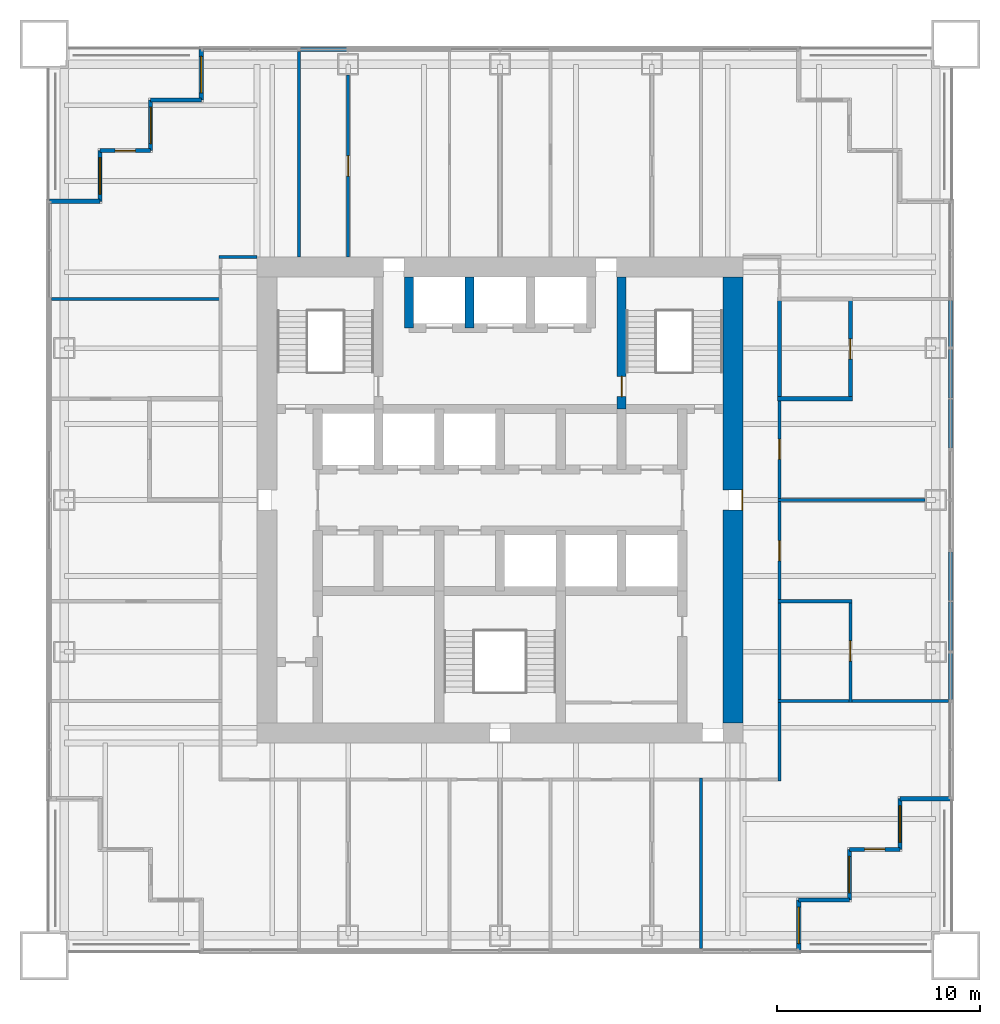
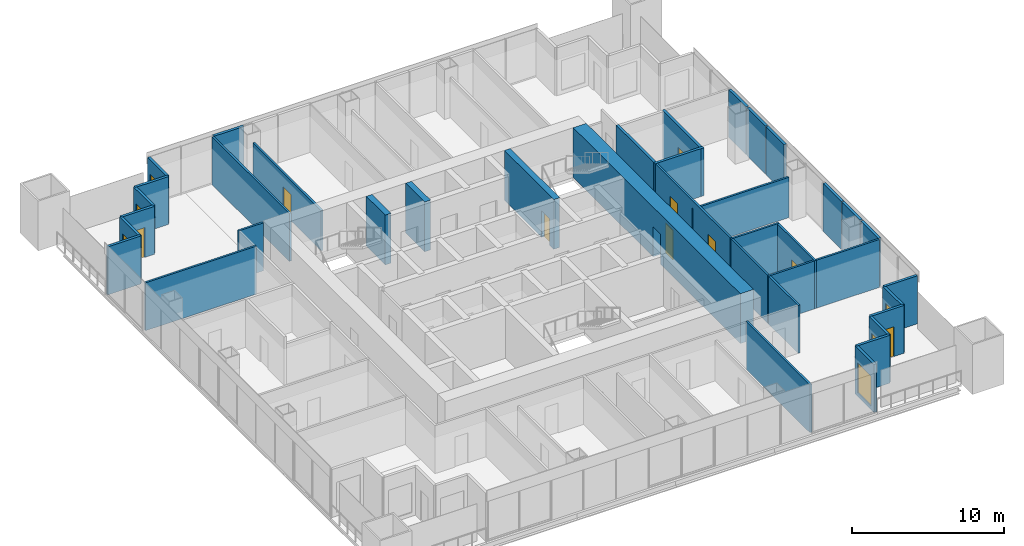
# One storey, part 10 of 13: 36 walls, 9 doors, 6 windows, 15 openings.
"""IFC4 building model written with IfcOpenShell, lengths in metres."""

from ifc_helpers import new_model, si_unit, direction, frame, frame_2d, origin, place, context, subcontext, project, spatial, rectangle, extrude, material, layer, layer_set, type_object, element, fill, save


model = new_model("IFC4")

# Units and contexts
model_context = context("Model", 3, precision=1e-05, world=origin(), true_north=direction((0.0, 1.0)))
body_context = subcontext(model_context, "Body", "Model", "MODEL_VIEW")
ifc_project = project(units=[si_unit("LENGTHUNIT", "METRE"), si_unit("AREAUNIT", "SQUARE_METRE"), si_unit("VOLUMEUNIT", "CUBIC_METRE"), si_unit("PLANEANGLEUNIT", "RADIAN"), si_unit("MASSUNIT", "GRAM", prefix="KILO")], contexts=[model_context])

# Site, building, storey
site_placement = place(None, origin())
site = spatial("IfcSite", under=ifc_project, at=site_placement, CompositionType="ELEMENT")
building_placement = place(site_placement, origin())
building = spatial("IfcBuilding", under=site, at=building_placement, Name="Tarangal Relay Tower", CompositionType="ELEMENT")
storey_placement = place(building_placement, frame((0.0, 0.0, 189.89990234375)))
storey = spatial("IfcBuildingStorey", under=building, at=storey_placement, Name="L39", CompositionType="ELEMENT", Elevation=189.89990234375)

# Walls
ifc_material_1 = material(Name="Two layers gypsum board each side on twin steel studs, mineral wool", Category="steel")
ifc_layer_1 = layer(ifc_material_1, 0.199951171875)
ifc_layer_set_1 = layer_set([ifc_layer_1], Name="Acoustic partition 200")
wall_type_1 = type_object("IfcWallType", Name="Acoustic partition 200", PredefinedType="PARTITIONING", material=ifc_layer_set_1)
wall_1_placement = place(storey_placement, frame((13.699951171875, 5.0, 0.0), z_axis=(0.0, 0.0, 1.0), x_axis=(1.0, 0.0, 0.0)))
element("IfcWall", 1, at=wall_1_placement, inside=storey, type_object=wall_type_1, Name="Partition PT2 L39", PredefinedType="PARTITIONING", context=body_context, shape_type="SweptSolid", body=[
    extrude(rectangle(XDim=3.699951171875, YDim=0.199951171875, at=frame_2d((1.85009765625, 0.0))), origin(), (0.0, 0.0, 1.0), 3.85009765625),
])
wall_2_placement = place(storey_placement, frame((13.800048828125, 4.89990234375, 0.0), z_axis=(0.0, 0.0, 1.0), x_axis=(0.0, 1.0, 0.0)))
element("IfcWall", 2, at=wall_2_placement, inside=storey, type_object=wall_type_1, Name="Partition PT2 L39", PredefinedType="PARTITIONING", context=body_context, shape_type="SweptSolid", body=[
    extrude(rectangle(XDim=5.1171875, YDim=0.199951171875, at=frame_2d((2.55859375, 0.0))), origin(), (0.0, 0.0, 1.0), 3.85009765625),
])

# Wall, opening, door
wall_3_placement = place(storey_placement, frame((17.300048828125, 4.89990234375, 0.0), z_axis=(0.0, 0.0, 1.0), x_axis=(0.0, 1.0, 0.0)))
wall_3 = element("IfcWall", 3, at=wall_3_placement, inside=storey, type_object=wall_type_1, Name="Partition PT2 L39", PredefinedType="PARTITIONING", context=body_context, shape_type="SweptSolid", body=[
    extrude(rectangle(XDim=5.1171875, YDim=0.199951171875, at=frame_2d((2.55859375, 0.0))), origin(), (0.0, 0.0, 1.0), 3.85009765625),
])
opening_1_placement = place(wall_3_placement, frame((2.05859375, 0.0, 0.0)))
opening_1 = element("IfcOpeningElement", 4, at=opening_1_placement, cuts=wall_3, Name="Opening D2", PredefinedType="OPENING", context=body_context, shape_type="SweptSolid", body=[
    extrude(rectangle(XDim=1.0, YDim=2.10009765625, at=frame_2d((0.5, 1.050048828125))), frame((0.0, 0.10986328125, 0.0), z_axis=(0.0, -1.0, 0.0), x_axis=(1.0, 0.0, 0.0)), (0.0, 0.0, 1.0), 0.219970703125),
])
ifc_material_2 = material(Name="Hardwood door", Category="wood")
door_type_1 = type_object("IfcDoorType", Name="Door 1000 x 2100", OperationType="SINGLE_SWING_LEFT", PredefinedType="DOOR", material=ifc_material_2)
door_1_placement = place(opening_1_placement, origin())
door_1 = element("IfcDoor", 5, at=door_1_placement, inside=storey, type_object=door_type_1, Name="Door D2 to meeting room L39-08", OperationType="SINGLE_SWING_LEFT", OverallHeight=2.10009765625, OverallWidth=1.0, PredefinedType="DOOR", context=body_context, shape_type="SweptSolid", body=[
    extrude(rectangle(XDim=1.0, YDim=2.10009765625, at=frame_2d((0.5, 1.050048828125))), frame((0.0, 0.02490234375, 0.0), z_axis=(0.0, -1.0, 0.0), x_axis=(1.0, 0.0, 0.0)), (0.0, 0.0, 1.0), 0.050048828125),
])
fill(opening_1, door_1)

ifc_material_3 = material(Name="Concrete fc' 60 MPa", Category="concrete")
ifc_layer_2 = layer(ifc_material_3, 0.449951171875)
ifc_layer_set_2 = layer_set([ifc_layer_2], Name="Core inner wall 450")
wall_type_2 = type_object("IfcWallType", Name="Core inner wall 450", PredefinedType="SHEAR", material=ifc_layer_set_2)
wall_4_placement = place(storey_placement, frame((6.0, 4.5, 0.0), z_axis=(0.0, 0.0, 1.0), x_axis=(0.0, 1.0, 0.0)))
wall_4 = element("IfcWall", 6, at=wall_4_placement, inside=storey, type_object=wall_type_2, Name="Core wall X6 L39", PredefinedType="SHEAR", context=body_context, shape_type="SweptSolid", body=[
    extrude(rectangle(XDim=6.5, YDim=0.449951171875, at=frame_2d((3.25, 0.0))), origin(), (0.0, 0.0, 1.0), 4.0),
])
opening_2_placement = place(wall_4_placement, frame((0.60009765625, 0.0, 0.0)))
opening_2 = element("IfcOpeningElement", 7, at=opening_2_placement, cuts=wall_4, Name="Opening FD1", PredefinedType="OPENING", context=body_context, shape_type="SweptSolid", body=[
    extrude(rectangle(XDim=1.0, YDim=2.10009765625, at=frame_2d((0.5, 1.050048828125))), frame((0.0, 0.23486328125, 0.0), z_axis=(0.0, -1.0, 0.0), x_axis=(1.0, 0.0, 0.0)), (0.0, 0.0, 1.0), 0.469970703125),
])
ifc_material_4 = material(Name="Steel door with hardwood frame", Category="steel")
door_type_2 = type_object("IfcDoorType", Name="Fire door 1000 x 2100", OperationType="SINGLE_SWING_LEFT", PredefinedType="DOOR", material=ifc_material_4)
door_2_placement = place(opening_2_placement, origin())
door_2 = element("IfcDoor", 8, at=door_2_placement, inside=storey, type_object=door_type_2, Name="Stair ST-B door from fire-fighting lobby L39", OperationType="SINGLE_SWING_LEFT", OverallHeight=2.10009765625, OverallWidth=1.0, PredefinedType="DOOR", context=body_context, shape_type="SweptSolid", body=[
    extrude(rectangle(XDim=1.0, YDim=2.10009765625, at=frame_2d((0.5, 1.050048828125))), frame((0.0, 0.02490234375, 0.0), z_axis=(0.0, -1.0, 0.0), x_axis=(1.0, 0.0, 0.0)), (0.0, 0.0, 1.0), 0.050048828125),
])
fill(opening_2, door_2)

# Walls
for number, where, z_axis, x_axis, name in (
    (9, (-4.5, 8.5, 0.0), (0.0, 0.0, 1.0), (0.0, 1.0, 0.0), "Core wall XM45 L39"),
    (10, (-1.5, 8.5, 0.0), (0.0, 0.0, 1.0), (0.0, 1.0, 0.0), "Core wall XM15 L39"),
):
    element("IfcWall", number, at=place(storey_placement, frame(where, z_axis=z_axis, x_axis=x_axis)), inside=storey, type_object=wall_type_2, Name=name, PredefinedType="SHEAR", context=body_context, shape_type="SweptSolid", body=[
        extrude(rectangle(XDim=2.5, YDim=0.449951171875, at=frame_2d((1.25, 0.0))), origin(), (0.0, 0.0, 1.0), 4.0),
    ])

# Wall, opening, door
ifc_layer_3 = layer(ifc_material_3, 1.0)
ifc_layer_set_3 = layer_set([ifc_layer_3], Name="Core wall 1000")
wall_type_3 = type_object("IfcWallType", Name="Core wall 1000", PredefinedType="SHEAR", material=ifc_layer_set_3)
wall_5_placement = place(storey_placement, frame((11.5, 11.0, 0.0), z_axis=(0.0, 0.0, 1.0), x_axis=(0.0, -1.0, 0.0)))
wall_5 = element("IfcWall", 11, at=wall_5_placement, inside=storey, type_object=wall_type_3, Name="Core wall E L39", PredefinedType="SHEAR", context=body_context, shape_type="SweptSolid", body=[
    extrude(rectangle(XDim=22.0, YDim=1.0, at=frame_2d((11.0, 0.0))), origin(), (0.0, 0.0, 1.0), 4.0),
])
opening_3_placement = place(wall_5_placement, frame((10.5, 0.0, 0.0)))
opening_3 = element("IfcOpeningElement", 12, at=opening_3_placement, cuts=wall_5, Name="Opening FD3", PredefinedType="OPENING", context=body_context, shape_type="SweptSolid", body=[
    extrude(rectangle(XDim=1.0, YDim=2.39990234375, at=frame_2d((0.5, 1.199951171875))), frame((0.0, 0.510009765625, 0.0), z_axis=(0.0, -1.0, 0.0), x_axis=(1.0, 0.0, 0.0)), (0.0, 0.0, 1.0), 1.02001953125),
])
door_type_3 = type_object("IfcDoorType", Name="Fire door 1000 x 2400 core entry", OperationType="SINGLE_SWING_RIGHT", PredefinedType="DOOR", material=ifc_material_4)
door_3_placement = place(opening_3_placement, origin())
door_3 = element("IfcDoor", 13, at=door_3_placement, inside=storey, type_object=door_type_3, Name="Core entry door east L39", OperationType="SINGLE_SWING_RIGHT", OverallHeight=2.39990234375, OverallWidth=1.0, PredefinedType="DOOR", context=body_context, shape_type="SweptSolid", body=[
    extrude(rectangle(XDim=1.0, YDim=2.39990234375, at=frame_2d((0.5, 1.199951171875))), frame((0.0, 0.48486328125, 0.0), z_axis=(0.0, -1.0, 0.0), x_axis=(1.0, 0.0, 0.0)), (0.0, 0.0, 1.0), 0.050048828125),
])
fill(opening_3, door_3)

# Wall
ifc_material_5 = material(Name="Black metal clad insulated wall", Category="steel")
ifc_layer_4 = layer(ifc_material_5, 0.199951171875)
ifc_layer_set_4 = layer_set([ifc_layer_4], Name="Corner wall metal clad 200")
wall_type_4 = type_object("IfcWallType", Name="Corner wall metal clad 200", PredefinedType="SOLIDWALL", material=ifc_layer_set_4)
wall_6_placement = place(storey_placement, frame((22.25, -14.75, 0.0), z_axis=(0.0, 0.0, 1.0), x_axis=(-1.0, 0.0, 0.0)))
element("IfcWall", 14, at=wall_6_placement, inside=storey, type_object=wall_type_4, Name="Facade wall E facade L39", PredefinedType="SOLIDWALL", context=body_context, shape_type="SweptSolid", body=[
    extrude(rectangle(XDim=2.5, YDim=0.199951171875, at=frame_2d((1.25, 0.0))), origin(), (0.0, 0.0, 1.0), 3.85009765625),
])

# Wall, opening, window
wall_7_placement = place(storey_placement, frame((19.75, -14.75, 0.0), z_axis=(0.0, 0.0, 1.0), x_axis=(0.0, -1.0, 0.0)))
wall_7 = element("IfcWall", 15, at=wall_7_placement, inside=storey, type_object=wall_type_4, Name="Facade wall E facade L39", PredefinedType="SOLIDWALL", context=body_context, shape_type="SweptSolid", body=[
    extrude(rectangle(XDim=2.5, YDim=0.199951171875, at=frame_2d((1.25, 0.0))), origin(), (0.0, 0.0, 1.0), 3.85009765625),
])
opening_4_placement = place(wall_7_placement, frame((0.35009765625, 0.0, 0.300048828125)))
opening_4 = element("IfcOpeningElement", 16, at=opening_4_placement, cuts=wall_7, Name="Opening WN2", PredefinedType="OPENING", context=body_context, shape_type="SweptSolid", body=[
    extrude(rectangle(XDim=1.800048828125, YDim=2.39990234375, at=frame_2d((0.89990234375, 1.199951171875))), frame((0.0, 0.10986328125, 0.0), z_axis=(0.0, -1.0, 0.0), x_axis=(1.0, 0.0, 0.0)), (0.0, 0.0, 1.0), 0.219970703125),
])
ifc_material_6 = material(Name="Dark tinted double glazing in black aluminium frame", Category="aluminium")
window_type = type_object("IfcWindowType", Name="Corner window 1800 x 2400", PartitioningType="SINGLE_PANEL", PredefinedType="WINDOW", material=ifc_material_6)
window_1_placement = place(opening_4_placement, origin())
window_1 = element("IfcWindow", 17, at=window_1_placement, inside=storey, type_object=window_type, Name="Corner window WN2 E facade L39", OverallHeight=2.39990234375, OverallWidth=1.800048828125, PartitioningType="SINGLE_PANEL", PredefinedType="WINDOW", context=body_context, shape_type="SweptSolid", body=[
    extrude(rectangle(XDim=1.800048828125, YDim=2.39990234375, at=frame_2d((0.89990234375, 1.199951171875))), frame((0.0, 0.030029296875, 0.0), z_axis=(0.0, -1.0, 0.0), x_axis=(1.0, 0.0, 0.0)), (0.0, 0.0, 1.0), 0.06005859375),
])
fill(opening_4, window_1)

# Wall, opening, door
wall_8_placement = place(storey_placement, frame((19.75, -17.25, 0.0), z_axis=(0.0, 0.0, 1.0), x_axis=(-1.0, 0.0, 0.0)))
wall_8 = element("IfcWall", 18, at=wall_8_placement, inside=storey, type_object=wall_type_4, Name="Facade wall E facade L39", PredefinedType="SOLIDWALL", context=body_context, shape_type="SweptSolid", body=[
    extrude(rectangle(XDim=2.5, YDim=0.199951171875, at=frame_2d((1.25, 0.0))), origin(), (0.0, 0.0, 1.0), 3.85009765625),
])
opening_5_placement = place(wall_8_placement, frame((0.75, 0.0, 0.0)))
opening_5 = element("IfcOpeningElement", 19, at=opening_5_placement, cuts=wall_8, Name="Opening TD1", PredefinedType="OPENING", context=body_context, shape_type="SweptSolid", body=[
    extrude(rectangle(XDim=1.0, YDim=2.39990234375, at=frame_2d((0.5, 1.199951171875))), frame((0.0, 0.10986328125, 0.0), z_axis=(0.0, -1.0, 0.0), x_axis=(1.0, 0.0, 0.0)), (0.0, 0.0, 1.0), 0.219970703125),
])
ifc_material_7 = material(Name="Aluminium glazed door", Category="aluminium")
door_type_4 = type_object("IfcDoorType", Name="Terrace door 1000 x 2400", OperationType="SINGLE_SWING_RIGHT", PredefinedType="DOOR", material=ifc_material_7)
door_4_placement = place(opening_5_placement, origin())
door_4 = element("IfcDoor", 20, at=door_4_placement, inside=storey, type_object=door_type_4, Name="Terrace door TD1 SE L39", OperationType="SINGLE_SWING_RIGHT", OverallHeight=2.39990234375, OverallWidth=1.0, PredefinedType="DOOR", context=body_context, shape_type="SweptSolid", body=[
    extrude(rectangle(XDim=1.0, YDim=2.39990234375, at=frame_2d((0.5, 1.199951171875))), frame((0.0, 0.02490234375, 0.0), z_axis=(0.0, -1.0, 0.0), x_axis=(1.0, 0.0, 0.0)), (0.0, 0.0, 1.0), 0.050048828125),
])
fill(opening_5, door_4)

# Wall, opening, window
wall_9_placement = place(storey_placement, frame((17.25, -17.25, 0.0), z_axis=(0.0, 0.0, 1.0), x_axis=(0.0, -1.0, 0.0)))
wall_9 = element("IfcWall", 21, at=wall_9_placement, inside=storey, type_object=wall_type_4, Name="Facade wall E facade L39", PredefinedType="SOLIDWALL", context=body_context, shape_type="SweptSolid", body=[
    extrude(rectangle(XDim=2.5, YDim=0.199951171875, at=frame_2d((1.25, 0.0))), origin(), (0.0, 0.0, 1.0), 3.85009765625),
])
opening_6_placement = place(wall_9_placement, frame((0.35009765625, 0.0, 0.300048828125)))
opening_6 = element("IfcOpeningElement", 22, at=opening_6_placement, cuts=wall_9, Name="Opening WN2", PredefinedType="OPENING", context=body_context, shape_type="SweptSolid", body=[
    extrude(rectangle(XDim=1.800048828125, YDim=2.39990234375, at=frame_2d((0.89990234375, 1.199951171875))), frame((0.0, 0.10986328125, 0.0), z_axis=(0.0, -1.0, 0.0), x_axis=(1.0, 0.0, 0.0)), (0.0, 0.0, 1.0), 0.219970703125),
])
window_2_placement = place(opening_6_placement, origin())
window_2 = element("IfcWindow", 23, at=window_2_placement, inside=storey, type_object=window_type, Name="Corner window WN2 E facade L39", OverallHeight=2.39990234375, OverallWidth=1.800048828125, PartitioningType="SINGLE_PANEL", PredefinedType="WINDOW", context=body_context, shape_type="SweptSolid", body=[
    extrude(rectangle(XDim=1.800048828125, YDim=2.39990234375, at=frame_2d((0.89990234375, 1.199951171875))), frame((0.0, 0.030029296875, 0.0), z_axis=(0.0, -1.0, 0.0), x_axis=(1.0, 0.0, 0.0)), (0.0, 0.0, 1.0), 0.06005859375),
])
fill(opening_6, window_2)

# Wall
wall_10_placement = place(storey_placement, frame((17.25, -19.75, 0.0), z_axis=(0.0, 0.0, 1.0), x_axis=(-1.0, 0.0, 0.0)))
element("IfcWall", 24, at=wall_10_placement, inside=storey, type_object=wall_type_4, Name="Facade wall E facade L39", PredefinedType="SOLIDWALL", context=body_context, shape_type="SweptSolid", body=[
    extrude(rectangle(XDim=2.5, YDim=0.199951171875, at=frame_2d((1.25, 0.0))), origin(), (0.0, 0.0, 1.0), 3.85009765625),
])

# Wall, opening, window
wall_11_placement = place(storey_placement, frame((14.75, -19.75, 0.0), z_axis=(0.0, 0.0, 1.0), x_axis=(0.0, -1.0, 0.0)))
wall_11 = element("IfcWall", 25, at=wall_11_placement, inside=storey, type_object=wall_type_4, Name="Facade wall E facade L39", PredefinedType="SOLIDWALL", context=body_context, shape_type="SweptSolid", body=[
    extrude(rectangle(XDim=2.5, YDim=0.199951171875, at=frame_2d((1.25, 0.0))), origin(), (0.0, 0.0, 1.0), 3.85009765625),
])
opening_7_placement = place(wall_11_placement, frame((0.35009765625, 0.0, 0.300048828125)))
opening_7 = element("IfcOpeningElement", 26, at=opening_7_placement, cuts=wall_11, Name="Opening WN2", PredefinedType="OPENING", context=body_context, shape_type="SweptSolid", body=[
    extrude(rectangle(XDim=1.800048828125, YDim=2.39990234375, at=frame_2d((0.89990234375, 1.199951171875))), frame((0.0, 0.10986328125, 0.0), z_axis=(0.0, -1.0, 0.0), x_axis=(1.0, 0.0, 0.0)), (0.0, 0.0, 1.0), 0.219970703125),
])
window_3_placement = place(opening_7_placement, origin())
window_3 = element("IfcWindow", 27, at=window_3_placement, inside=storey, type_object=window_type, Name="Corner window WN2 E facade L39", OverallHeight=2.39990234375, OverallWidth=1.800048828125, PartitioningType="SINGLE_PANEL", PredefinedType="WINDOW", context=body_context, shape_type="SweptSolid", body=[
    extrude(rectangle(XDim=1.800048828125, YDim=2.39990234375, at=frame_2d((0.89990234375, 1.199951171875))), frame((0.0, 0.030029296875, 0.0), z_axis=(0.0, -1.0, 0.0), x_axis=(1.0, 0.0, 0.0)), (0.0, 0.0, 1.0), 0.06005859375),
])
fill(opening_7, window_3)

# Wall
wall_12_placement = place(storey_placement, frame((-22.25, 14.75, 0.0), z_axis=(0.0, 0.0, 1.0), x_axis=(1.0, 0.0, 0.0)))
element("IfcWall", 28, at=wall_12_placement, inside=storey, type_object=wall_type_4, Name="Facade wall W facade L39", PredefinedType="SOLIDWALL", context=body_context, shape_type="SweptSolid", body=[
    extrude(rectangle(XDim=2.5, YDim=0.199951171875, at=frame_2d((1.25, 0.0))), origin(), (0.0, 0.0, 1.0), 3.85009765625),
])

# Wall, opening, window
wall_13_placement = place(storey_placement, frame((-19.75, 14.75, 0.0), z_axis=(0.0, 0.0, 1.0), x_axis=(0.0, 1.0, 0.0)))
wall_13 = element("IfcWall", 29, at=wall_13_placement, inside=storey, type_object=wall_type_4, Name="Facade wall W facade L39", PredefinedType="SOLIDWALL", context=body_context, shape_type="SweptSolid", body=[
    extrude(rectangle(XDim=2.5, YDim=0.199951171875, at=frame_2d((1.25, 0.0))), origin(), (0.0, 0.0, 1.0), 3.85009765625),
])
opening_8_placement = place(wall_13_placement, frame((0.35009765625, 0.0, 0.300048828125)))
opening_8 = element("IfcOpeningElement", 30, at=opening_8_placement, cuts=wall_13, Name="Opening WN2", PredefinedType="OPENING", context=body_context, shape_type="SweptSolid", body=[
    extrude(rectangle(XDim=1.800048828125, YDim=2.39990234375, at=frame_2d((0.89990234375, 1.199951171875))), frame((0.0, 0.10986328125, 0.0), z_axis=(0.0, -1.0, 0.0), x_axis=(1.0, 0.0, 0.0)), (0.0, 0.0, 1.0), 0.219970703125),
])
window_4_placement = place(opening_8_placement, origin())
window_4 = element("IfcWindow", 31, at=window_4_placement, inside=storey, type_object=window_type, Name="Corner window WN2 W facade L39", OverallHeight=2.39990234375, OverallWidth=1.800048828125, PartitioningType="SINGLE_PANEL", PredefinedType="WINDOW", context=body_context, shape_type="SweptSolid", body=[
    extrude(rectangle(XDim=1.800048828125, YDim=2.39990234375, at=frame_2d((0.89990234375, 1.199951171875))), frame((0.0, 0.030029296875, 0.0), z_axis=(0.0, -1.0, 0.0), x_axis=(1.0, 0.0, 0.0)), (0.0, 0.0, 1.0), 0.06005859375),
])
fill(opening_8, window_4)

# Wall, opening, door
wall_14_placement = place(storey_placement, frame((-19.75, 17.25, 0.0), z_axis=(0.0, 0.0, 1.0), x_axis=(1.0, 0.0, 0.0)))
wall_14 = element("IfcWall", 32, at=wall_14_placement, inside=storey, type_object=wall_type_4, Name="Facade wall W facade L39", PredefinedType="SOLIDWALL", context=body_context, shape_type="SweptSolid", body=[
    extrude(rectangle(XDim=2.5, YDim=0.199951171875, at=frame_2d((1.25, 0.0))), origin(), (0.0, 0.0, 1.0), 3.85009765625),
])
opening_9_placement = place(wall_14_placement, frame((0.75, 0.0, 0.0)))
opening_9 = element("IfcOpeningElement", 33, at=opening_9_placement, cuts=wall_14, Name="Opening TD1", PredefinedType="OPENING", context=body_context, shape_type="SweptSolid", body=[
    extrude(rectangle(XDim=1.0, YDim=2.39990234375, at=frame_2d((0.5, 1.199951171875))), frame((0.0, 0.10986328125, 0.0), z_axis=(0.0, -1.0, 0.0), x_axis=(1.0, 0.0, 0.0)), (0.0, 0.0, 1.0), 0.219970703125),
])
door_5_placement = place(opening_9_placement, origin())
door_5 = element("IfcDoor", 34, at=door_5_placement, inside=storey, type_object=door_type_4, Name="Terrace door TD1 NW L39", OperationType="SINGLE_SWING_RIGHT", OverallHeight=2.39990234375, OverallWidth=1.0, PredefinedType="DOOR", context=body_context, shape_type="SweptSolid", body=[
    extrude(rectangle(XDim=1.0, YDim=2.39990234375, at=frame_2d((0.5, 1.199951171875))), frame((0.0, 0.02490234375, 0.0), z_axis=(0.0, -1.0, 0.0), x_axis=(1.0, 0.0, 0.0)), (0.0, 0.0, 1.0), 0.050048828125),
])
fill(opening_9, door_5)

# Wall, opening, window
wall_15_placement = place(storey_placement, frame((-17.25, 17.25, 0.0), z_axis=(0.0, 0.0, 1.0), x_axis=(0.0, 1.0, 0.0)))
wall_15 = element("IfcWall", 35, at=wall_15_placement, inside=storey, type_object=wall_type_4, Name="Facade wall W facade L39", PredefinedType="SOLIDWALL", context=body_context, shape_type="SweptSolid", body=[
    extrude(rectangle(XDim=2.5, YDim=0.199951171875, at=frame_2d((1.25, 0.0))), origin(), (0.0, 0.0, 1.0), 3.85009765625),
])
opening_10_placement = place(wall_15_placement, frame((0.35009765625, 0.0, 0.300048828125)))
opening_10 = element("IfcOpeningElement", 36, at=opening_10_placement, cuts=wall_15, Name="Opening WN2", PredefinedType="OPENING", context=body_context, shape_type="SweptSolid", body=[
    extrude(rectangle(XDim=1.800048828125, YDim=2.39990234375, at=frame_2d((0.89990234375, 1.199951171875))), frame((0.0, 0.10986328125, 0.0), z_axis=(0.0, -1.0, 0.0), x_axis=(1.0, 0.0, 0.0)), (0.0, 0.0, 1.0), 0.219970703125),
])
window_5_placement = place(opening_10_placement, origin())
window_5 = element("IfcWindow", 37, at=window_5_placement, inside=storey, type_object=window_type, Name="Corner window WN2 W facade L39", OverallHeight=2.39990234375, OverallWidth=1.800048828125, PartitioningType="SINGLE_PANEL", PredefinedType="WINDOW", context=body_context, shape_type="SweptSolid", body=[
    extrude(rectangle(XDim=1.800048828125, YDim=2.39990234375, at=frame_2d((0.89990234375, 1.199951171875))), frame((0.0, 0.030029296875, 0.0), z_axis=(0.0, -1.0, 0.0), x_axis=(1.0, 0.0, 0.0)), (0.0, 0.0, 1.0), 0.06005859375),
])
fill(opening_10, window_5)

# Wall
wall_16_placement = place(storey_placement, frame((-17.25, 19.75, 0.0), z_axis=(0.0, 0.0, 1.0), x_axis=(1.0, 0.0, 0.0)))
element("IfcWall", 38, at=wall_16_placement, inside=storey, type_object=wall_type_4, Name="Facade wall W facade L39", PredefinedType="SOLIDWALL", context=body_context, shape_type="SweptSolid", body=[
    extrude(rectangle(XDim=2.5, YDim=0.199951171875, at=frame_2d((1.25, 0.0))), origin(), (0.0, 0.0, 1.0), 3.85009765625),
])

# Wall, opening, window
wall_17_placement = place(storey_placement, frame((-14.75, 19.75, 0.0), z_axis=(0.0, 0.0, 1.0), x_axis=(0.0, 1.0, 0.0)))
wall_17 = element("IfcWall", 39, at=wall_17_placement, inside=storey, type_object=wall_type_4, Name="Facade wall W facade L39", PredefinedType="SOLIDWALL", context=body_context, shape_type="SweptSolid", body=[
    extrude(rectangle(XDim=2.5, YDim=0.199951171875, at=frame_2d((1.25, 0.0))), origin(), (0.0, 0.0, 1.0), 3.85009765625),
])
opening_11_placement = place(wall_17_placement, frame((0.35009765625, 0.0, 0.300048828125)))
opening_11 = element("IfcOpeningElement", 40, at=opening_11_placement, cuts=wall_17, Name="Opening WN2", PredefinedType="OPENING", context=body_context, shape_type="SweptSolid", body=[
    extrude(rectangle(XDim=1.800048828125, YDim=2.39990234375, at=frame_2d((0.89990234375, 1.199951171875))), frame((0.0, 0.10986328125, 0.0), z_axis=(0.0, -1.0, 0.0), x_axis=(1.0, 0.0, 0.0)), (0.0, 0.0, 1.0), 0.219970703125),
])
window_6_placement = place(opening_11_placement, origin())
window_6 = element("IfcWindow", 41, at=window_6_placement, inside=storey, type_object=window_type, Name="Corner window WN2 W facade L39", OverallHeight=2.39990234375, OverallWidth=1.800048828125, PartitioningType="SINGLE_PANEL", PredefinedType="WINDOW", context=body_context, shape_type="SweptSolid", body=[
    extrude(rectangle(XDim=1.800048828125, YDim=2.39990234375, at=frame_2d((0.89990234375, 1.199951171875))), frame((0.0, 0.030029296875, 0.0), z_axis=(0.0, -1.0, 0.0), x_axis=(1.0, 0.0, 0.0)), (0.0, 0.0, 1.0), 0.06005859375),
])
fill(opening_11, window_6)

# Walls
ifc_layer_5 = layer(ifc_material_5, 0.199951171875)
ifc_layer_set_5 = layer_set([ifc_layer_5], Name="Facade infill wall metal clad 200")
wall_type_5 = type_object("IfcWallType", Name="Facade infill wall metal clad 200", PredefinedType="SOLIDWALL", material=ifc_layer_set_5)
for number, where, z_axis, x_axis, name in (
    (42, (-9.851806640625, 22.25, 0.0), (0.0, 0.0, 1.0), (1.0, 0.0, 0.0), "Facade infill wall N facade L39 1.1"),
    (43, (22.25, 9.851806640625, 0.0), (0.0, 0.0, 1.0), (0.0, -1.0, 0.0), "Facade infill wall E facade L39 1.1"),
):
    element("IfcWall", number, at=place(storey_placement, frame(where, z_axis=z_axis, x_axis=x_axis)), inside=storey, type_object=wall_type_5, Name=name, PredefinedType="SOLIDWALL", context=body_context, shape_type="SweptSolid", body=[
        extrude(rectangle(XDim=2.286865234375, YDim=0.199951171875, at=frame_2d((1.1435546875, 0.0))), origin(), (0.0, 0.0, 1.0), 3.85009765625),
    ])
for number, where, z_axis, x_axis, name in (
    (44, (22.25, 7.43505859375, 0.0), (0.0, 0.0, 1.0), (0.0, -1.0, 0.0), "Facade infill wall E facade L39 1.1"),
    (45, (22.25, 4.967529296875, 0.0), (0.0, 0.0, 1.0), (0.0, -1.0, 0.0), "Facade infill wall E facade L39 2.1"),
    (46, (22.25, -2.56494140625, 0.0), (0.0, 0.0, 1.0), (0.0, -1.0, 0.0), "Facade infill wall E facade L39 1.1"),
    (47, (22.25, -5.032470703125, 0.0), (0.0, 0.0, 1.0), (0.0, -1.0, 0.0), "Facade infill wall E facade L39 2.1"),
):
    element("IfcWall", number, at=place(storey_placement, frame(where, z_axis=z_axis, x_axis=x_axis)), inside=storey, type_object=wall_type_5, Name=name, PredefinedType="SOLIDWALL", context=body_context, shape_type="SweptSolid", body=[
        extrude(rectangle(XDim=2.402587890625, YDim=0.199951171875, at=frame_2d((1.201171875, 0.0))), origin(), (0.0, 0.0, 1.0), 3.85009765625),
    ])
wall_18_placement = place(storey_placement, frame((22.25, -7.56494140625, 0.0), z_axis=(0.0, 0.0, 1.0), x_axis=(0.0, -1.0, 0.0)))
element("IfcWall", 48, at=wall_18_placement, inside=storey, type_object=wall_type_5, Name="Facade infill wall E facade L39 1.1", PredefinedType="SOLIDWALL", context=body_context, shape_type="SweptSolid", body=[
    extrude(rectangle(XDim=2.286865234375, YDim=0.199951171875, at=frame_2d((1.1435546875, 0.0))), origin(), (0.0, 0.0, 1.0), 3.85009765625),
])
ifc_material_8 = material(Name="Gypsum board on steel studs", Category="steel")
ifc_layer_6 = layer(ifc_material_8, 0.14990234375)
ifc_layer_set_6 = layer_set([ifc_layer_6], Name="Partition 150")
wall_type_6 = type_object("IfcWallType", Name="Partition 150", PredefinedType="PARTITIONING", material=ifc_layer_set_6)
wall_19_placement = place(storey_placement, frame((13.72509765625, -9.9169921875, 0.0), z_axis=(0.0, 0.0, 1.0), x_axis=(1.0, 0.0, 0.0)))
element("IfcWall", 49, at=wall_19_placement, inside=storey, type_object=wall_type_6, Name="Partition PT1 L39", PredefinedType="PARTITIONING", context=body_context, shape_type="SweptSolid", body=[
    extrude(rectangle(XDim=8.4248046875, YDim=0.14990234375, at=frame_2d((4.21240234375, 0.0))), origin(), (0.0, 0.0, 1.0), 3.85009765625),
])
wall_20_placement = place(storey_placement, frame((13.72509765625, -5.0, 0.0), z_axis=(0.0, 0.0, 1.0), x_axis=(1.0, 0.0, 0.0)))
element("IfcWall", 50, at=wall_20_placement, inside=storey, type_object=wall_type_6, Name="Partition PT1 L39", PredefinedType="PARTITIONING", context=body_context, shape_type="SweptSolid", body=[
    extrude(rectangle(XDim=3.64990234375, YDim=0.14990234375, at=frame_2d((1.824951171875, 0.0))), origin(), (0.0, 0.0, 1.0), 3.85009765625),
])
wall_21_placement = place(storey_placement, frame((13.72509765625, 0.0, 0.0), z_axis=(0.0, 0.0, 1.0), x_axis=(1.0, 0.0, 0.0)))
element("IfcWall", 51, at=wall_21_placement, inside=storey, type_object=wall_type_6, Name="Partition PT1 L39", PredefinedType="PARTITIONING", context=body_context, shape_type="SweptSolid", body=[
    extrude(rectangle(XDim=7.264892578125, YDim=0.14990234375, at=frame_2d((3.63232421875, 0.0))), origin(), (0.0, 0.0, 1.0), 3.238037109375),
])
wall_22_placement = place(storey_placement, frame((-22.14990234375, 9.9169921875, 0.0), z_axis=(0.0, 0.0, 1.0), x_axis=(1.0, 0.0, 0.0)))
element("IfcWall", 52, at=wall_22_placement, inside=storey, type_object=wall_type_6, Name="Partition PT1 L39", PredefinedType="PARTITIONING", context=body_context, shape_type="SweptSolid", body=[
    extrude(rectangle(XDim=8.4248046875, YDim=0.14990234375, at=frame_2d((4.21240234375, 0.0))), origin(), (0.0, 0.0, 1.0), 3.85009765625),
])
wall_23_placement = place(storey_placement, frame((-13.875, 12.0, 0.0), z_axis=(0.0, 0.0, 1.0), x_axis=(1.0, 0.0, 0.0)))
element("IfcWall", 53, at=wall_23_placement, inside=storey, type_object=wall_type_6, Name="Partition PT1 L39", PredefinedType="PARTITIONING", context=body_context, shape_type="SweptSolid", body=[
    extrude(rectangle(XDim=1.875, YDim=0.14990234375, at=frame_2d((0.9375, 0.0))), origin(), (0.0, 0.0, 1.0), 3.85009765625),
])
wall_24_placement = place(storey_placement, frame((-9.9169921875, 12.0, 0.0), z_axis=(0.0, 0.0, 1.0), x_axis=(0.0, 1.0, 0.0)))
element("IfcWall", 54, at=wall_24_placement, inside=storey, type_object=wall_type_6, Name="Partition PT1 L39", PredefinedType="PARTITIONING", context=body_context, shape_type="SweptSolid", body=[
    extrude(rectangle(XDim=10.14990234375, YDim=0.14990234375, at=frame_2d((5.074951171875, 0.0))), origin(), (0.0, 0.0, 1.0), 3.85009765625),
])

# Wall, opening, door
wall_25_placement = place(storey_placement, frame((-7.5, 12.0, 0.0), z_axis=(0.0, 0.0, 1.0), x_axis=(0.0, 1.0, 0.0)))
wall_25 = element("IfcWall", 55, at=wall_25_placement, inside=storey, type_object=wall_type_6, Name="Partition PT1 L39", PredefinedType="PARTITIONING", context=body_context, shape_type="SweptSolid", body=[
    extrude(rectangle(XDim=8.989990234375, YDim=0.14990234375, at=frame_2d((4.4951171875, 0.0))), origin(), (0.0, 0.0, 1.0), 3.238037109375),
])
opening_12_placement = place(wall_25_placement, frame((3.9951171875, 0.0, 0.0)))
opening_12 = element("IfcOpeningElement", 56, at=opening_12_placement, cuts=wall_25, Name="Opening D2", PredefinedType="OPENING", context=body_context, shape_type="SweptSolid", body=[
    extrude(rectangle(XDim=1.0, YDim=2.10009765625, at=frame_2d((0.5, 1.050048828125))), frame((0.0, 0.0849609375, 0.0), z_axis=(0.0, -1.0, 0.0), x_axis=(1.0, 0.0, 0.0)), (0.0, 0.0, 1.0), 0.169921875),
])
door_6_placement = place(opening_12_placement, origin())
door_6 = element("IfcDoor", 57, at=door_6_placement, inside=storey, type_object=door_type_1, Name="Door D2 to cellular office L39-02", OperationType="SINGLE_SWING_LEFT", OverallHeight=2.10009765625, OverallWidth=1.0, PredefinedType="DOOR", context=body_context, shape_type="SweptSolid", body=[
    extrude(rectangle(XDim=1.0, YDim=2.10009765625, at=frame_2d((0.5, 1.050048828125))), frame((0.0, 0.02490234375, 0.0), z_axis=(0.0, -1.0, 0.0), x_axis=(1.0, 0.0, 0.0)), (0.0, 0.0, 1.0), 0.050048828125),
])
fill(opening_12, door_6)

# Wall
wall_26_placement = place(storey_placement, frame((9.9169921875, -22.14990234375, 0.0), z_axis=(0.0, 0.0, 1.0), x_axis=(0.0, 1.0, 0.0)))
element("IfcWall", 58, at=wall_26_placement, inside=storey, type_object=wall_type_6, Name="Partition PT1 L39", PredefinedType="PARTITIONING", context=body_context, shape_type="SweptSolid", body=[
    extrude(rectangle(XDim=8.4248046875, YDim=0.14990234375, at=frame_2d((4.21240234375, 0.0))), origin(), (0.0, 0.0, 1.0), 3.85009765625),
])

# Wall, openings, doors
wall_27_placement = place(storey_placement, frame((13.800048828125, -13.875, 0.0), z_axis=(0.0, 0.0, 1.0), x_axis=(0.0, 1.0, 0.0)))
wall_27 = element("IfcWall", 59, at=wall_27_placement, inside=storey, type_object=wall_type_6, Name="Partition PT1 L39", PredefinedType="PARTITIONING", context=body_context, shape_type="SweptSolid", body=[
    extrude(rectangle(XDim=18.949951171875, YDim=0.14990234375, at=frame_2d((9.47509765625, 0.0))), origin(), (0.0, 0.0, 1.0), 3.85009765625),
])
opening_13_placement = place(wall_27_placement, frame((15.875, 0.0, 0.0)))
opening_13 = element("IfcOpeningElement", 60, at=opening_13_placement, cuts=wall_27, Name="Opening SD1", PredefinedType="OPENING", context=body_context, shape_type="SweptSolid", body=[
    extrude(rectangle(XDim=1.0, YDim=2.39990234375, at=frame_2d((0.5, 1.199951171875))), frame((0.0, 0.0849609375, 0.0), z_axis=(0.0, -1.0, 0.0), x_axis=(1.0, 0.0, 0.0)), (0.0, 0.0, 1.0), 0.169921875),
])
opening_14_placement = place(wall_27_placement, frame((10.875, 0.0, 0.0)))
opening_14 = element("IfcOpeningElement", 61, at=opening_14_placement, cuts=wall_27, Name="Opening SD1", PredefinedType="OPENING", context=body_context, shape_type="SweptSolid", body=[
    extrude(rectangle(XDim=1.0, YDim=2.39990234375, at=frame_2d((0.5, 1.199951171875))), frame((0.0, 0.0849609375, 0.0), z_axis=(0.0, -1.0, 0.0), x_axis=(1.0, 0.0, 0.0)), (0.0, 0.0, 1.0), 0.169921875),
])
door_type_5 = type_object("IfcDoorType", Name="Suite entrance door 1000 x 2400", OperationType="SINGLE_SWING_RIGHT", PredefinedType="DOOR", material=ifc_material_4)
door_7_placement = place(opening_13_placement, origin())
door_7 = element("IfcDoor", 62, at=door_7_placement, inside=storey, type_object=door_type_5, Name="Door SD1 to open plan office L39-09", OperationType="SINGLE_SWING_RIGHT", OverallHeight=2.39990234375, OverallWidth=1.0, PredefinedType="DOOR", context=body_context, shape_type="SweptSolid", body=[
    extrude(rectangle(XDim=1.0, YDim=2.39990234375, at=frame_2d((0.5, 1.199951171875))), frame((0.0, 0.02490234375, 0.0), z_axis=(0.0, -1.0, 0.0), x_axis=(1.0, 0.0, 0.0)), (0.0, 0.0, 1.0), 0.050048828125),
])
fill(opening_13, door_7)
door_8_placement = place(opening_14_placement, origin())
door_8 = element("IfcDoor", 63, at=door_8_placement, inside=storey, type_object=door_type_5, Name="Door SD1 to open plan office L39-10", OperationType="SINGLE_SWING_RIGHT", OverallHeight=2.39990234375, OverallWidth=1.0, PredefinedType="DOOR", context=body_context, shape_type="SweptSolid", body=[
    extrude(rectangle(XDim=1.0, YDim=2.39990234375, at=frame_2d((0.5, 1.199951171875))), frame((0.0, 0.02490234375, 0.0), z_axis=(0.0, -1.0, 0.0), x_axis=(1.0, 0.0, 0.0)), (0.0, 0.0, 1.0), 0.050048828125),
])
fill(opening_14, door_8)

# Wall, opening, door
wall_28_placement = place(storey_placement, frame((17.300048828125, -9.991943359375, 0.0), z_axis=(0.0, 0.0, 1.0), x_axis=(0.0, 1.0, 0.0)))
wall_28 = element("IfcWall", 64, at=wall_28_placement, inside=storey, type_object=wall_type_6, Name="Partition PT1 L39", PredefinedType="PARTITIONING", context=body_context, shape_type="SweptSolid", body=[
    extrude(rectangle(XDim=5.06689453125, YDim=0.14990234375, at=frame_2d((2.533447265625, 0.0))), origin(), (0.0, 0.0, 1.0), 3.85009765625),
])
opening_15_placement = place(wall_28_placement, frame((2.033447265625, 0.0, 0.0)))
opening_15 = element("IfcOpeningElement", 65, at=opening_15_placement, cuts=wall_28, Name="Opening D2", PredefinedType="OPENING", context=body_context, shape_type="SweptSolid", body=[
    extrude(rectangle(XDim=1.0, YDim=2.10009765625, at=frame_2d((0.5, 1.050048828125))), frame((0.0, 0.0849609375, 0.0), z_axis=(0.0, -1.0, 0.0), x_axis=(1.0, 0.0, 0.0)), (0.0, 0.0, 1.0), 0.169921875),
])
door_9_placement = place(opening_15_placement, origin())
door_9 = element("IfcDoor", 66, at=door_9_placement, inside=storey, type_object=door_type_1, Name="Door D2 to tea pantry L39-11", OperationType="SINGLE_SWING_LEFT", OverallHeight=2.10009765625, OverallWidth=1.0, PredefinedType="DOOR", context=body_context, shape_type="SweptSolid", body=[
    extrude(rectangle(XDim=1.0, YDim=2.10009765625, at=frame_2d((0.5, 1.050048828125))), frame((0.0, 0.02490234375, 0.0), z_axis=(0.0, -1.0, 0.0), x_axis=(1.0, 0.0, 0.0)), (0.0, 0.0, 1.0), 0.050048828125),
])
fill(opening_15, door_9)

save(model, "model.ifc")
